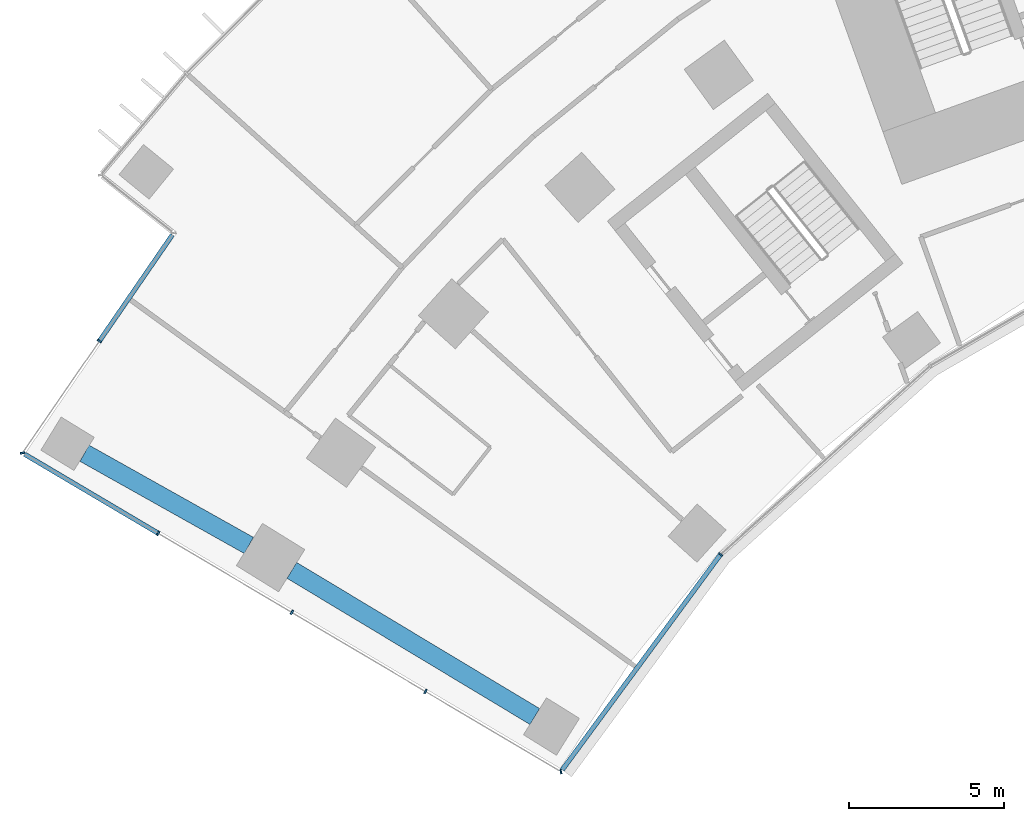
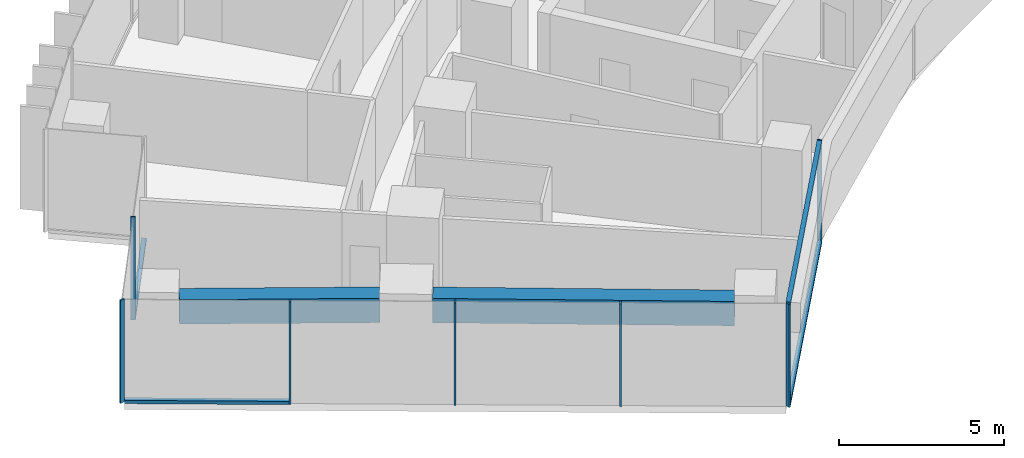
# One storey, part 2 of 24: 11 members, 2 beams, 3 elements without a shape of their own.
"""IFC4 building model written with IfcOpenShell, lengths in metres."""

from ifc_helpers import new_model, si_unit, direction, frame, origin, origin_2d, place, context, subcontext, project, spatial, rectangle, extrude, material, layer, layer_set, material_profile, profile_set, type_object, element, aggregate, save


model = new_model("IFC4")

# Units and contexts
model_context = context("Model", 3, precision=1e-05, world=origin(), true_north=direction((0.0, 1.0)))
body_context = subcontext(model_context, "Body", "Model", "MODEL_VIEW")
ifc_project = project(units=[si_unit("LENGTHUNIT", "METRE"), si_unit("AREAUNIT", "SQUARE_METRE"), si_unit("VOLUMEUNIT", "CUBIC_METRE"), si_unit("PLANEANGLEUNIT", "RADIAN"), si_unit("MASSUNIT", "GRAM", prefix="KILO")], contexts=[model_context])

# Site, building, storey
site_placement = place(None, origin())
site = spatial("IfcSite", under=ifc_project, at=site_placement, CompositionType="ELEMENT")
building_placement = place(site_placement, origin())
building = spatial("IfcBuilding", under=site, at=building_placement, Name="Stone Belt Terrace Tower", CompositionType="ELEMENT")
storey_placement = place(building_placement, frame((0.0, 0.0, 75.60009765625)))
storey = spatial("IfcBuildingStorey", under=building, at=storey_placement, Name="L18", CompositionType="ELEMENT", Elevation=75.60009765625)

# Curtain wall, members
ifc_material_1 = material(Name="Aluminium 6063-T6 anodised frame", Category="aluminium")
ifc_layer_1 = layer(ifc_material_1, 0.14990234375)
ifc_layer_set_1 = layer_set([ifc_layer_1], Name="CW-B unitised concave-face curtain wall")
curtain_wall_type_1 = type_object("IfcCurtainWallType", Name="CW-B unitised concave-face curtain wall", PredefinedType="NOTDEFINED", material=ifc_layer_set_1)
curtain_wall_1_placement = place(storey_placement, origin())
curtain_wall_1 = element("IfcCurtainWall", 1, at=curtain_wall_1_placement, inside=storey, type_object=curtain_wall_type_1, Name="CW-B concave face L18", PredefinedType="NOTDEFINED")
ifc_material_profile_1 = material_profile(ifc_material_1, rectangle(XDim=0.14990234375, YDim=0.050048828125, at=origin_2d()), Name="Aluminium 6063-T6 50x150")
ifc_profile_set_1 = profile_set([ifc_material_profile_1], Name="Aluminium 6063-T6 anodised frame")
member_type_1 = type_object("IfcMemberType", Name="CW-B mullion 50 x 150", PredefinedType="MULLION", material=ifc_profile_set_1)
member_1_placement = place(storey_placement, frame((-37.4140625, 22.0576171875, 0.0), z_axis=(0.0, 0.0, 1.0), x_axis=(-0.199957039009, 0.979804665508, 0.0)))
member_1 = element("IfcMember", 2, at=member_1_placement, type_object=member_type_1, Name="CW-B mullion 1", PredefinedType="MULLION", context=body_context, shape_type="SweptSolid", body=[
    extrude(rectangle(XDim=0.14990234375, YDim=0.050048828125, at=origin_2d()), origin(), (0.0, 0.0, 1.0), 3.7998046875),
])
member_2_placement = place(storey_placement, frame((-32.27099609375, 29.056640625, 0.0), z_axis=(0.0, 0.0, 1.0), x_axis=(-0.741329775891, 0.671140941515, 0.0)))
member_2 = element("IfcMember", 3, at=member_2_placement, type_object=member_type_1, Name="CW-B mullion 2", PredefinedType="MULLION", context=body_context, shape_type="SweptSolid", body=[
    extrude(rectangle(XDim=0.14990234375, YDim=0.050048828125, at=origin_2d()), origin(), (0.0, 0.0, 1.0), 3.7998046875),
])
ifc_material_profile_2 = material_profile(ifc_material_1, rectangle(XDim=0.14990234375, YDim=0.1201171875, at=origin_2d()), Name="Aluminium 6063-T6 150x120")
ifc_profile_set_2 = profile_set([ifc_material_profile_2], Name="Aluminium 6063-T6 anodised frame")
member_type_2 = type_object("IfcMemberType", Name="CW-B transom 120 x 150", PredefinedType="USERDEFINED", material=ifc_profile_set_2)
member_3_placement = place(storey_placement, frame((-37.373291015625, 22.11328125, 0.059814453125), z_axis=(0.592180847905, 0.805805090189, 0.0), x_axis=(-0.805805090189, 0.592180847905, 0.0)))
member_3 = element("IfcMember", 4, at=member_3_placement, type_object=member_type_2, Name="CW-B transom 1.1", ObjectType="TRANSOM", PredefinedType="USERDEFINED", context=body_context, shape_type="SweptSolid", body=[
    extrude(rectangle(XDim=0.14990234375, YDim=0.1201171875, at=origin_2d()), origin(), (0.0, 0.0, 1.0), 8.583984375),
])
member_4_placement = place(storey_placement, frame((-37.373291015625, 22.11328125, 3.739990234375), z_axis=(0.592180847905, 0.805805090189, 0.0), x_axis=(-0.805805090189, 0.592180847905, 0.0)))
member_4 = element("IfcMember", 5, at=member_4_placement, type_object=member_type_2, Name="CW-B transom 1.2", ObjectType="TRANSOM", PredefinedType="USERDEFINED", context=body_context, shape_type="SweptSolid", body=[
    extrude(rectangle(XDim=0.14990234375, YDim=0.1201171875, at=origin_2d()), origin(), (0.0, 0.0, 1.0), 8.583984375),
])
aggregate(curtain_wall_1, [member_1, member_2, member_3, member_4])

# Curtain wall, member
ifc_layer_2 = layer(ifc_material_1, 0.14990234375)
ifc_layer_set_2 = layer_set([ifc_layer_2], Name="CW-C stick curtain wall, horn ends and notches")
curtain_wall_type_2 = type_object("IfcCurtainWallType", Name="CW-C stick curtain wall, horn ends and notches", PredefinedType="NOTDEFINED", material=ifc_layer_set_2)
curtain_wall_2_placement = place(storey_placement, origin())
curtain_wall_2 = element("IfcCurtainWall", 6, at=curtain_wall_2_placement, inside=storey, type_object=curtain_wall_type_2, Name="CW-C notch face L18", PredefinedType="NOTDEFINED")
ifc_material_profile_3 = material_profile(ifc_material_1, rectangle(XDim=0.14990234375, YDim=0.06005859375, at=origin_2d()), Name="Aluminium 6063-T6 60x150")
ifc_profile_set_3 = profile_set([ifc_material_profile_3], Name="Aluminium 6063-T6 anodised frame")
member_type_3 = type_object("IfcMemberType", Name="CW-C mullion 60 x 150", PredefinedType="MULLION", material=ifc_profile_set_3)
member_5_placement = place(storey_placement, frame((-52.275390625, 35.925048828125, 0.0), z_axis=(0.0, 0.0, 1.0), x_axis=(0.824146991357, -0.566375967567, 0.0)))
member_5 = element("IfcMember", 7, at=member_5_placement, type_object=member_type_3, Name="CW-C mullion 2", PredefinedType="MULLION", context=body_context, shape_type="SweptSolid", body=[
    extrude(rectangle(XDim=0.14990234375, YDim=0.06005859375, at=origin_2d()), origin(), (0.0, 0.0, 1.0), 3.7998046875),
])

# Curtain wall, members
curtain_wall_3_placement = place(storey_placement, origin())
curtain_wall_3 = element("IfcCurtainWall", 8, at=curtain_wall_3_placement, inside=storey, type_object=curtain_wall_type_2, Name="CW-C end face L18", PredefinedType="NOTDEFINED")
member_6_placement = place(storey_placement, frame((-54.752685546875, 32.3203125, 0.0), z_axis=(0.0, 0.0, 1.0), x_axis=(0.976519557331, 0.215428768157, 0.0)))
member_6 = element("IfcMember", 9, at=member_6_placement, type_object=member_type_3, Name="CW-C mullion 1", PredefinedType="MULLION", context=body_context, shape_type="SweptSolid", body=[
    extrude(rectangle(XDim=0.14990234375, YDim=0.06005859375, at=origin_2d()), origin(), (0.0, 0.0, 1.0), 3.7998046875),
])
member_7_placement = place(storey_placement, frame((-50.380859375, 29.732666015625, 0.0), z_axis=(0.0, 0.0, 1.0), x_axis=(0.509352918793, 0.860557728521, 0.0)))
member_7 = element("IfcMember", 10, at=member_7_placement, type_object=member_type_3, Name="CW-C mullion 2", PredefinedType="MULLION", context=body_context, shape_type="SweptSolid", body=[
    extrude(rectangle(XDim=0.14990234375, YDim=0.06005859375, at=origin_2d()), origin(), (0.0, 0.0, 1.0), 3.7998046875),
])
member_8_placement = place(storey_placement, frame((-46.078125, 27.185791015625, 0.0), z_axis=(0.0, 0.0, 1.0), x_axis=(0.509352918793, 0.860557728521, 0.0)))
member_8 = element("IfcMember", 11, at=member_8_placement, type_object=member_type_3, Name="CW-C mullion 3", PredefinedType="MULLION", context=body_context, shape_type="SweptSolid", body=[
    extrude(rectangle(XDim=0.14990234375, YDim=0.06005859375, at=origin_2d()), origin(), (0.0, 0.0, 1.0), 3.7998046875),
])
member_9_placement = place(storey_placement, frame((-41.775146484375, 24.63916015625, 0.0), z_axis=(0.0, 0.0, 1.0), x_axis=(0.509352918793, 0.860557728521, 0.0)))
member_9 = element("IfcMember", 12, at=member_9_placement, type_object=member_type_3, Name="CW-C mullion 4", PredefinedType="MULLION", context=body_context, shape_type="SweptSolid", body=[
    extrude(rectangle(XDim=0.14990234375, YDim=0.06005859375, at=origin_2d()), origin(), (0.0, 0.0, 1.0), 3.7998046875),
])

# Member
ifc_material_profile_4 = material_profile(ifc_material_1, rectangle(XDim=0.14990234375, YDim=0.1201171875, at=origin_2d()), Name="Aluminium 6063-T6 150x120")
ifc_profile_set_4 = profile_set([ifc_material_profile_4], Name="Aluminium 6063-T6 anodised frame")
member_type_4 = type_object("IfcMemberType", Name="CW-C transom 120 x 150", PredefinedType="USERDEFINED", material=ifc_profile_set_4)
member_10_placement = place(storey_placement, frame((-49.924560546875, 39.345703125, 0.059814453125), z_axis=(-0.566362850847, -0.824156005365, 0.0), x_axis=(0.824156005365, -0.566362850847, 0.0)))
member_10 = element("IfcMember", 13, at=member_10_placement, type_object=member_type_4, Name="CW-C transom 1.1", ObjectType="TRANSOM", PredefinedType="USERDEFINED", context=body_context, shape_type="SweptSolid", body=[
    extrude(rectangle(XDim=0.14990234375, YDim=0.1201171875, at=origin_2d()), origin(), (0.0, 0.0, 1.0), 4.12060546875),
])

aggregate(curtain_wall_2, [member_5, member_10])

member_11_placement = place(storey_placement, frame((-54.68798828125, 32.281982421875, 0.059814453125), z_axis=(0.860543319846, -0.509377261633, 0.0), x_axis=(0.509377261633, 0.860543319846, 0.0)))
member_11 = element("IfcMember", 14, at=member_11_placement, type_object=member_type_4, Name="CW-C transom 1.1", ObjectType="TRANSOM", PredefinedType="USERDEFINED", context=body_context, shape_type="SweptSolid", body=[
    extrude(rectangle(XDim=0.14990234375, YDim=0.1201171875, at=origin_2d()), origin(), (0.0, 0.0, 1.0), 4.97509765625),
])

aggregate(curtain_wall_3, [member_6, member_7, member_8, member_9, member_11])

# Beams
ifc_material_2 = material(Name="Concrete B60", Category="concrete")
ifc_material_profile_5 = material_profile(ifc_material_2, rectangle(XDim=0.60009765625, YDim=0.89990234375, at=origin_2d()), Name="RC 600x900")
ifc_profile_set_5 = profile_set([ifc_material_profile_5], Name="Concrete B60")
beam_type = type_object("IfcBeamType", Name="Edge beam RC 600x900 B60", PredefinedType="SPANDREL", material=ifc_profile_set_5)
beam_1_placement = place(storey_placement, frame((-38.253662109375, 23.83203125, 2.849853515625), z_axis=(-0.856900189152, 0.51548236229, 0.0), x_axis=(-0.51548236229, -0.856900189152, 0.0)))
element("IfcBeam", 15, at=beam_1_placement, inside=storey, type_object=beam_type, Name="Edge beam L18 A P to Q", PredefinedType="SPANDREL", context=body_context, shape_type="SweptSolid", body=[
    extrude(rectangle(XDim=0.60009765625, YDim=0.89990234375, at=origin_2d()), origin(), (0.0, 0.0, 1.0), 9.130859375),
])
beam_2_placement = place(storey_placement, frame((-47.4619140625, 29.3427734375, 2.849853515625), z_axis=(-0.872212947991, 0.489126336806, 0.0), x_axis=(-0.489126336806, -0.872212947991, 0.0)))
element("IfcBeam", 16, at=beam_2_placement, inside=storey, type_object=beam_type, Name="Edge beam L18 A Q to R", PredefinedType="SPANDREL", context=body_context, shape_type="SweptSolid", body=[
    extrude(rectangle(XDim=0.60009765625, YDim=0.89990234375, at=origin_2d()), origin(), (0.0, 0.0, 1.0), 6.069091796875),
])

save(model, "model.ifc")
